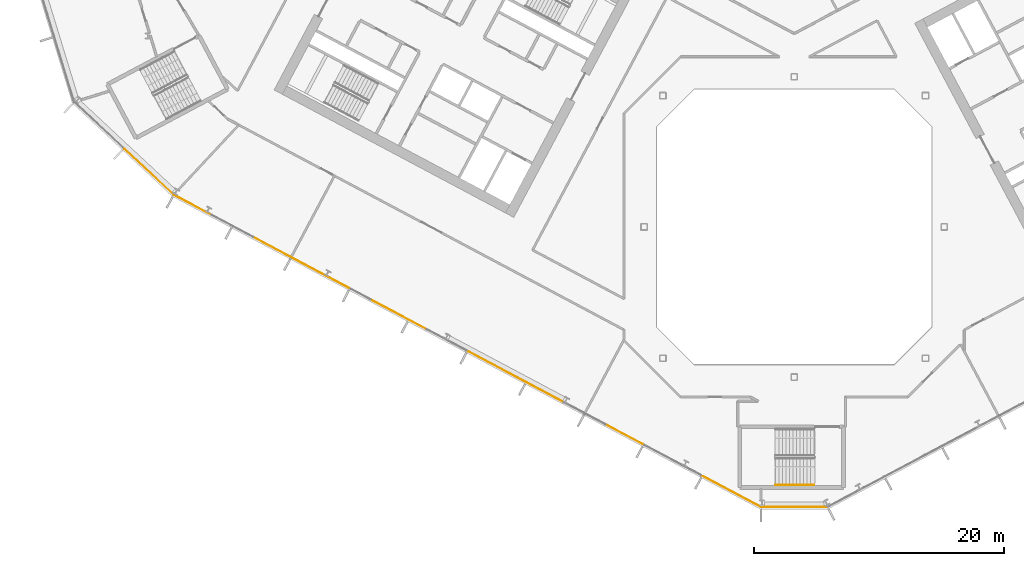
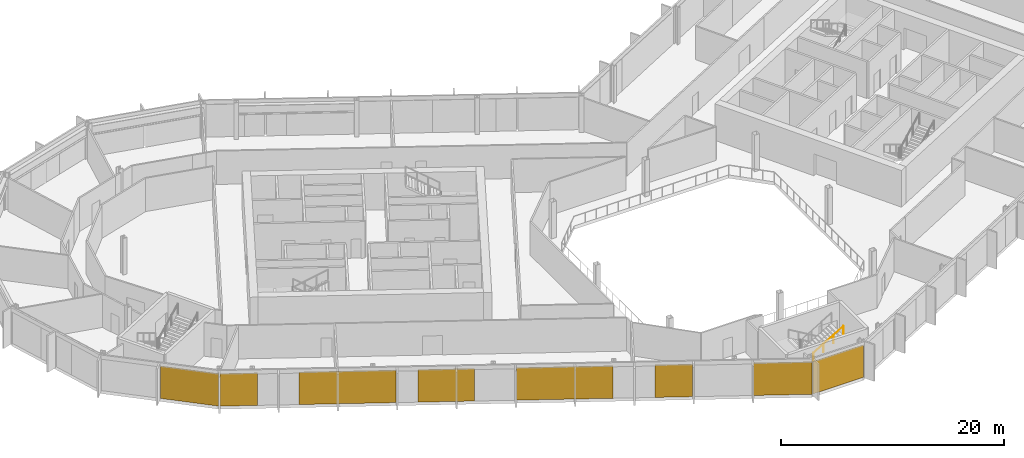
# One storey, part 19 of 28: 8 coverings, 1 railing, 3 elements without a shape of their own.
"""IFC4 building model written with IfcOpenShell, lengths in metres."""

from ifc_helpers import new_model, si_unit, direction, frame, origin, origin_2d, place, context, subcontext, project, spatial, polyline, rectangle, outline, extrude, material, layer, layer_set, type_object, element, aggregate, save


model = new_model("IFC4")

# Units and contexts
model_context = context("Model", 3, precision=1e-05, world=origin(), true_north=direction((0.0, 1.0)))
body_context = subcontext(model_context, "Body", "Model", "MODEL_VIEW")
ifc_project = project(units=[si_unit("LENGTHUNIT", "METRE"), si_unit("AREAUNIT", "SQUARE_METRE"), si_unit("VOLUMEUNIT", "CUBIC_METRE"), si_unit("PLANEANGLEUNIT", "RADIAN"), si_unit("MASSUNIT", "GRAM", prefix="KILO")], contexts=[model_context])

# Site, building, storey
site_placement = place(None, origin())
site = spatial("IfcSite", under=ifc_project, at=site_placement, CompositionType="ELEMENT")
building_placement = place(site_placement, origin())
building = spatial("IfcBuilding", under=site, at=building_placement, Name="Cormorant Relay Tower", CompositionType="ELEMENT")
storey_placement = place(building_placement, frame((0.0, 0.0, 146.199951171875)))
storey = spatial("IfcBuildingStorey", under=building, at=storey_placement, Name="L30", CompositionType="ELEMENT", Elevation=146.199951171875)

# Curtain wall, covering
ifc_material_1 = material(Name="Aluminium 6063-T6 anodised bronze", Category="aluminium")
ifc_layer_1 = layer(ifc_material_1, 0.199951171875)
ifc_layer_set_1 = layer_set([ifc_layer_1], Name="CW1 unitised bronze curtain wall with vertical fins")
curtain_wall_type = type_object("IfcCurtainWallType", Name="CW1 unitised bronze curtain wall with vertical fins", PredefinedType="NOTDEFINED", material=ifc_layer_set_1)
curtain_wall_1_placement = place(storey_placement, origin())
curtain_wall_1 = element("IfcCurtainWall", 1, at=curtain_wall_1_placement, inside=storey, type_object=curtain_wall_type, Name="CW1 curtain wall 1", PredefinedType="NOTDEFINED")
ifc_material_2 = material(Name="Pale bronze anodised aluminium insulated panel", Category="aluminium")
ifc_layer_2 = layer(ifc_material_2, 0.0400390625)
ifc_layer_set_2 = layer_set([ifc_layer_2], Name="CW1 pale bronze insulated panel 40")
covering_type = type_object("IfcCoveringType", Name="CW1 pale bronze insulated panel 40", PredefinedType="CLADDING", material=ifc_layer_set_2)
covering_1_placement = place(storey_placement, frame((0.03759765625, -22.3955078125, 0.0), z_axis=(0.0, 0.0, 1.0), x_axis=(1.0, 0.0, 0.0)))
covering_1 = element("IfcCovering", 2, at=covering_1_placement, type_object=covering_type, Name="CW1 panel S00", PredefinedType="CLADDING", context=body_context, shape_type="SweptSolid", body=[
    extrude(rectangle(XDim=5.22265625, YDim=0.0400390625, at=origin_2d()), origin(), (0.0, 0.0, 1.0), 3.550048828125),
])
aggregate(curtain_wall_1, [covering_1])

curtain_wall_2_placement = place(storey_placement, origin())
curtain_wall_2 = element("IfcCurtainWall", 3, at=curtain_wall_2_placement, inside=storey, type_object=curtain_wall_type, Name="CW1 curtain wall 15", PredefinedType="NOTDEFINED")
covering_2_placement = place(storey_placement, frame((-51.565185546875, 4.3974609375, 0.0), z_axis=(0.0, 0.0, 1.0), x_axis=(0.731353701619, -0.681998360062, 0.0)))
covering_2 = element("IfcCovering", 4, at=covering_2_placement, type_object=covering_type, Name="CW1 panel S01", PredefinedType="CLADDING", context=body_context, shape_type="SweptSolid", body=[
    extrude(rectangle(XDim=5.360107421875, YDim=0.0400390625, at=origin_2d()), origin(), (0.0, 0.0, 1.0), 3.550048828125),
])
aggregate(curtain_wall_2, [covering_2])

# Curtain wall, coverings
curtain_wall_3_placement = place(storey_placement, origin())
curtain_wall_3 = element("IfcCurtainWall", 5, at=curtain_wall_3_placement, inside=storey, type_object=curtain_wall_type, Name="CW1 curtain wall 16", PredefinedType="NOTDEFINED")
covering_3_placement = place(storey_placement, frame((-48.048583984375, 1.7412109375, 0.0), z_axis=(0.0, 0.0, 1.0), x_axis=(0.882947592859, -0.469471562786, 0.0)))
covering_3 = element("IfcCovering", 6, at=covering_3_placement, type_object=covering_type, Name="CW1 panel S00", PredefinedType="CLADDING", context=body_context, shape_type="SweptSolid", body=[
    extrude(rectangle(XDim=3.36669921875, YDim=0.0400390625, at=origin_2d()), origin(), (0.0, 0.0, 1.0), 3.550048828125),
])
covering_4_placement = place(storey_placement, frame((-39.417724609375, -2.847900390625, 0.0), z_axis=(0.0, 0.0, 1.0), x_axis=(0.882947592859, -0.469471562786, 0.0)))
covering_4 = element("IfcCovering", 7, at=covering_4_placement, type_object=covering_type, Name="CW1 panel S03", PredefinedType="CLADDING", context=body_context, shape_type="SweptSolid", body=[
    extrude(rectangle(XDim=8.68310546875, YDim=0.0400390625, at=origin_2d()), origin(), (0.0, 0.0, 1.0), 3.550048828125),
])
covering_5_placement = place(storey_placement, frame((-31.618408203125, -6.994873046875, 0.0), z_axis=(0.0, 0.0, 1.0), x_axis=(0.882947592859, -0.469471562786, 0.0)))
covering_5 = element("IfcCovering", 8, at=covering_5_placement, type_object=covering_type, Name="CW1 panel S05", PredefinedType="CLADDING", context=body_context, shape_type="SweptSolid", body=[
    extrude(rectangle(XDim=5.083251953125, YDim=0.0400390625, at=origin_2d()), origin(), (0.0, 0.0, 1.0), 3.550048828125),
])
covering_6_placement = place(storey_placement, frame((-22.22998046875, -11.98681640625, 0.0), z_axis=(0.0, 0.0, 1.0), x_axis=(0.882947592859, -0.469471562786, 0.0)))
covering_6 = element("IfcCovering", 9, at=covering_6_placement, type_object=covering_type, Name="CW1 panel S07", PredefinedType="CLADDING", context=body_context, shape_type="SweptSolid", body=[
    extrude(rectangle(XDim=8.68310546875, YDim=0.0400390625, at=origin_2d()), origin(), (0.0, 0.0, 1.0), 3.550048828125),
])
covering_7_placement = place(storey_placement, frame((-13.599365234375, -16.57568359375, 0.0), z_axis=(0.0, 0.0, 1.0), x_axis=(0.882947592859, -0.469471562786, 0.0)))
covering_7 = element("IfcCovering", 10, at=covering_7_placement, type_object=covering_type, Name="CW1 panel S10", PredefinedType="CLADDING", context=body_context, shape_type="SweptSolid", body=[
    extrude(rectangle(XDim=3.36669921875, YDim=0.0400390625, at=origin_2d()), origin(), (0.0, 0.0, 1.0), 3.550048828125),
])
covering_8_placement = place(storey_placement, frame((-4.972412109375, -21.162841796875, 0.0), z_axis=(0.0, 0.0, 1.0), x_axis=(0.882947592859, -0.469471562786, 0.0)))
covering_8 = element("IfcCovering", 11, at=covering_8_placement, type_object=covering_type, Name="CW1 panel S12", PredefinedType="CLADDING", context=body_context, shape_type="SweptSolid", body=[
    extrude(rectangle(XDim=5.24169921875, YDim=0.0400390625, at=origin_2d()), origin(), (0.0, 0.0, 1.0), 3.550048828125),
])
aggregate(curtain_wall_3, [covering_3, covering_4, covering_5, covering_6, covering_7, covering_8])

# Railing
ifc_material_3 = material(Name="Steel ASTM A572 Grade 50 (Fy 345 MPa)", Category="steel")
railing_type = type_object("IfcRailingType", Name="Stair handrail 900", PredefinedType="HANDRAIL", material=ifc_material_3)
railing_placement = place(storey_placement, frame((-1.47998046875, -20.625, 2.166748046875)))
element("IfcRailing", 12, at=railing_placement, inside=storey, type_object=railing_type, Name="L30 RK1 stair handrail 2", PredefinedType="HANDRAIL", context=body_context, shape_type="SweptSolid", body=[
    extrude(outline(polyline([(0.022216796875, 0.00927734375), (0.00927734375, 0.022216796875), (-0.00927734375, 0.022216796875), (-0.022216796875, 0.00927734375), (-0.022216796875, -0.00927734375), (-0.00927734375, -0.022216796875), (0.00927734375, -0.022216796875), (0.022216796875, -0.00927734375), (0.022216796875, 0.00927734375)])), frame((0.0, 0.0, 0.8759765625), z_axis=(0.859308565015, 0.0, 0.511457515432), x_axis=(0.0, 1.0, 0.0)), (0.0, 0.0, 1.0), 3.58447265625),
    extrude(outline(polyline([(0.019287109375, 0.008056640625), (0.008056640625, 0.019287109375), (-0.008056640625, 0.019287109375), (-0.019287109375, 0.008056640625), (-0.019287109375, -0.008056640625), (-0.008056640625, -0.019287109375), (0.008056640625, -0.019287109375), (0.019287109375, -0.008056640625), (0.019287109375, 0.008056640625)])), origin(), (0.0, 0.0, 1.0), 0.851806640625),
    extrude(outline(polyline([(0.019287109375, 0.008056640625), (0.008056640625, 0.019287109375), (-0.008056640625, 0.019287109375), (-0.019287109375, 0.008056640625), (-0.019287109375, -0.008056640625), (-0.008056640625, -0.019287109375), (0.008056640625, -0.019287109375), (0.019287109375, -0.008056640625), (0.019287109375, 0.008056640625)])), frame((1.026611328125, 0.0, 0.611083984375)), (0.0, 0.0, 1.0), 0.851806640625),
    extrude(outline(polyline([(0.019287109375, 0.008056640625), (0.008056640625, 0.019287109375), (-0.008056640625, 0.019287109375), (-0.019287109375, 0.008056640625), (-0.019287109375, -0.008056640625), (-0.008056640625, -0.019287109375), (0.008056640625, -0.019287109375), (0.019287109375, -0.008056640625), (0.019287109375, 0.008056640625)])), frame((2.053466796875, 0.0, 1.22216796875)), (0.0, 0.0, 1.0), 0.851806640625),
    extrude(outline(polyline([(0.019287109375, 0.008056640625), (0.008056640625, 0.019287109375), (-0.008056640625, 0.019287109375), (-0.019287109375, 0.008056640625), (-0.019287109375, -0.008056640625), (-0.008056640625, -0.019287109375), (0.008056640625, -0.019287109375), (0.019287109375, -0.008056640625), (0.019287109375, 0.008056640625)])), frame((3.080078125, 0.0, 1.833251953125)), (0.0, 0.0, 1.0), 0.851806640625),
])

save(model, "model.ifc")
